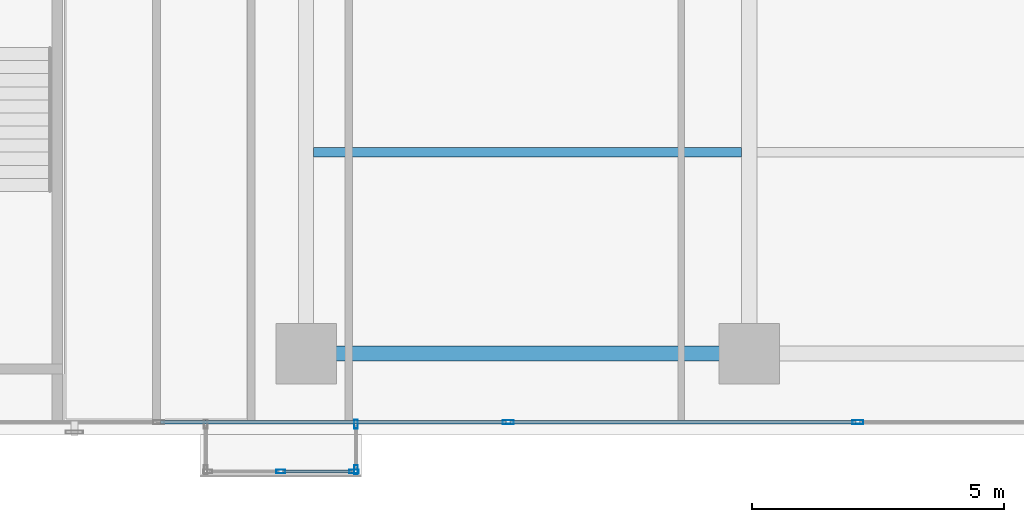
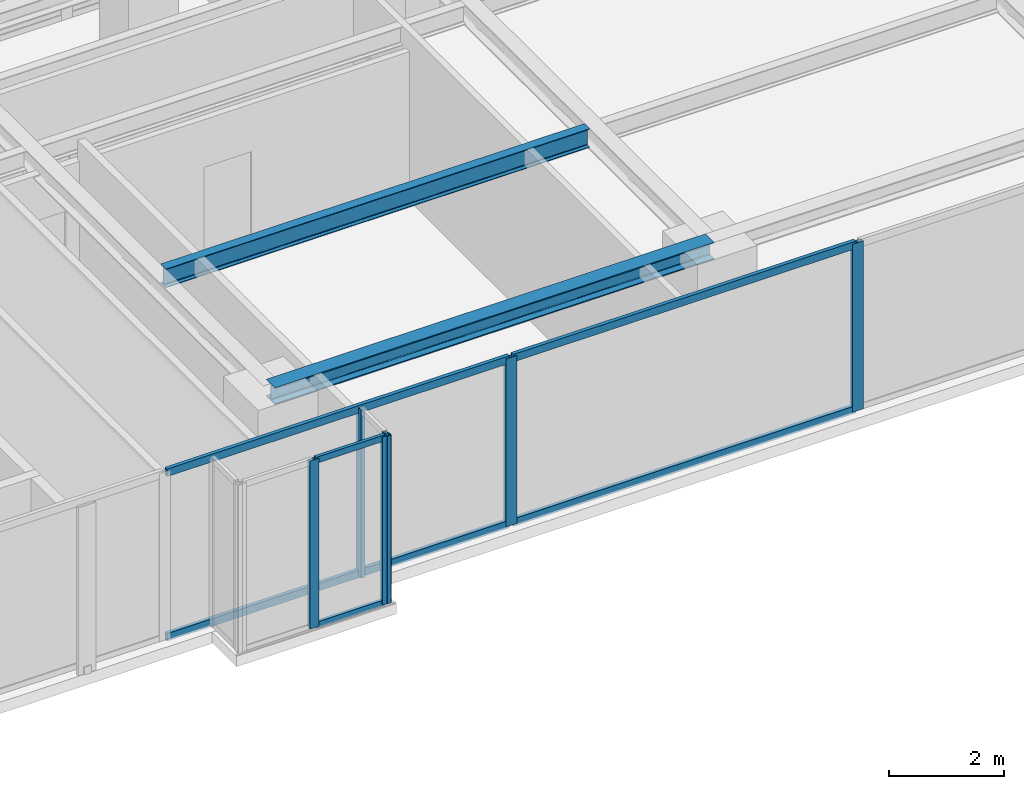
# One storey, part 11 of 27: 12 members, 2 beams, 3 elements without a shape of their own.
"""IFC4 building model written with IfcOpenShell, lengths in metres."""

from ifc_helpers import new_model, si_unit, direction, frame, origin, origin_with_axes, origin_2d, place, context, subcontext, project, spatial, hollow_rectangle, i_section, extrude, source, transform, mapped, material, layer, layer_set, material_profile, profile_set, type_object, element, aggregate, save


model = new_model("IFC4")

# Units and contexts
model_context = context("Model", 3, precision=1e-05, world=origin(), true_north=direction((0.0, 1.0)))
body_context = subcontext(model_context, "Body", "Model", "MODEL_VIEW")
ifc_project = project(units=[si_unit("LENGTHUNIT", "METRE"), si_unit("AREAUNIT", "SQUARE_METRE"), si_unit("VOLUMEUNIT", "CUBIC_METRE"), si_unit("PLANEANGLEUNIT", "RADIAN"), si_unit("MASSUNIT", "GRAM", prefix="KILO")], contexts=[model_context])

# Site, building, storey
site_placement = place(None, origin())
site = spatial("IfcSite", under=ifc_project, at=site_placement, CompositionType="ELEMENT")
building_placement = place(site_placement, origin())
building = spatial("IfcBuilding", under=site, at=building_placement, Name="Kolvaren Waterfront Exchange", CompositionType="ELEMENT")
storey_placement = place(building_placement, frame((0.0, 0.0, 161.39990234375)))
storey = spatial("IfcBuildingStorey", under=building, at=storey_placement, Name="L41", CompositionType="ELEMENT", Elevation=161.39990234375)

# Beams
ifc_material_1 = material(Name="Steel S355", Category="steel")
ifc_material_profile_1 = material_profile(ifc_material_1, i_section(OverallWidth=0.300048828125, OverallDepth=0.360107421875, WebThickness=0.012451171875, FlangeThickness=0.0224609375, FilletRadius=0.027099609375, at=origin_2d()), Name="HEB360")
ifc_profile_set_1 = profile_set([ifc_material_profile_1], Name="Steel S355")
beam_type_1 = type_object("IfcBeamType", Name="STR-BM-HEB360", PredefinedType="SPANDREL", material=ifc_profile_set_1)
beam_1_placement = place(storey_placement, frame((36.800048828125, 5.199951171875, 3.380126953125), z_axis=(1.0, 0.0, 0.0), x_axis=(0.0, 1.0, 0.0)))
element("IfcBeam", 1, at=beam_1_placement, inside=storey, type_object=beam_type_1, Name="L41 east-arm spandrel S3", PredefinedType="SPANDREL", context=body_context, shape_type="SweptSolid", body=[
    extrude(i_section(OverallWidth=0.300048828125, OverallDepth=0.360107421875, WebThickness=0.012451171875, FlangeThickness=0.0224609375, FilletRadius=0.027099609375, at=origin_2d()), origin(), (0.0, 0.0, 1.0), 8.800048828125),
])
ifc_material_profile_2 = material_profile(ifc_material_1, i_section(OverallWidth=0.179931640625, OverallDepth=0.39990234375, WebThickness=0.008544921875, FlangeThickness=0.013427734375, FilletRadius=0.02099609375, at=origin_2d()), Name="IPE400")
ifc_profile_set_2 = profile_set([ifc_material_profile_2], Name="Steel S355")
beam_type_2 = type_object("IfcBeamType", Name="STR-BM-IPE400", PredefinedType="JOIST", material=ifc_profile_set_2)
beam_2_placement = place(storey_placement, frame((36.951904296875, 9.199951171875, 3.360107421875), z_axis=(1.0, 0.0, 0.0), x_axis=(0.0, 1.0, 0.0)))
element("IfcBeam", 2, at=beam_2_placement, inside=storey, type_object=beam_type_2, Name="L41 east-arm composite joist 3B", PredefinedType="JOIST", context=body_context, shape_type="SweptSolid", body=[
    extrude(i_section(OverallWidth=0.179931640625, OverallDepth=0.39990234375, WebThickness=0.008544921875, FlangeThickness=0.013427734375, FilletRadius=0.02099609375, at=origin_2d()), origin(), (0.0, 0.0, 1.0), 8.49609375),
])

# Curtain wall, members
ifc_material_2 = material(Name="Anodised bronze aluminium 6063-T6", Category="aluminium")
ifc_layer_1 = layer(ifc_material_2, 0.219970703125, Name="Anodised bronze aluminium 6063-T6")
ifc_layer_set_1 = layer_set([ifc_layer_1], Name="Anodised bronze aluminium 6063-T6")
curtain_wall_type_1 = type_object("IfcCurtainWallType", Name="ARC-CW-SYS3", PredefinedType="USERDEFINED", material=ifc_layer_set_1)
curtain_wall_1_placement = place(storey_placement, origin())
curtain_wall_1 = element("IfcCurtainWall", 3, at=curtain_wall_1_placement, inside=storey, type_object=curtain_wall_type_1, Name="L41 stick curtain wall CW3 (CW-L41-BOX)", ObjectType="STICK CURTAIN WALL", PredefinedType="USERDEFINED")
ifc_material_profile_3 = material_profile(ifc_material_2, hollow_rectangle(XDim=0.06494140625, YDim=0.1298828125, WallThickness=0.00390625, at=origin_2d()), Name="ALU-TRN-130x65x4")
ifc_profile_set_3 = profile_set([ifc_material_profile_3], Name="Anodised bronze aluminium 6063-T6")
member_type_1 = type_object("IfcMemberType", Name="ARC-CWT-130", PredefinedType="USERDEFINED", material=ifc_profile_set_3)
shared_shape_1 = source(origin_with_axes(), body_context, "Body", "SweptSolid", [
    extrude(hollow_rectangle(XDim=0.06494140625, YDim=0.1298828125, WallThickness=0.00390625, at=origin_2d()), origin(), (0.0, 0.0, 1.0), 1.377685546875),
])
member_1_placement = place(storey_placement, frame((36.33740234375, 2.860107421875, 0.03271484375), z_axis=(1.0, 0.0, 0.0), x_axis=(0.0, 1.0, 0.0)))
member_1 = element("IfcMember", 4, at=member_1_placement, type_object=member_type_1, Name="CW3 transom 2.1", ObjectType="TRANSOM", PredefinedType="USERDEFINED", context=body_context, shape_type="MappedRepresentation", body=[
    mapped(shared_shape_1, transform((0.0, 0.0, 0.0), x_axis=(1.0, 0.0, 0.0), y_axis=(0.0, 1.0, 0.0), z_axis=(0.0, 0.0, 1.0), scale=1.0)),
])
member_2_placement = place(storey_placement, frame((36.33740234375, 2.860107421875, 3.527587890625), z_axis=(1.0, 0.0, 0.0), x_axis=(0.0, 1.0, 0.0)))
member_2 = element("IfcMember", 5, at=member_2_placement, type_object=member_type_1, Name="CW3 transom 2.2", ObjectType="TRANSOM", PredefinedType="USERDEFINED", context=body_context, shape_type="MappedRepresentation", body=[
    mapped(shared_shape_1, transform((0.0, 0.0, 0.0), x_axis=(1.0, 0.0, 0.0), y_axis=(0.0, 1.0, 0.0), z_axis=(0.0, 0.0, 1.0), scale=1.0)),
])
ifc_material_profile_4 = material_profile(ifc_material_2, hollow_rectangle(XDim=0.074951171875, YDim=0.179931640625, WallThickness=0.00439453125, at=origin_2d()), Name="ALU-MUL-180x75x4.5")
ifc_profile_set_4 = profile_set([ifc_material_profile_4], Name="Anodised bronze aluminium 6063-T6")
member_type_2 = type_object("IfcMemberType", Name="ARC-CWM-180", PredefinedType="MULLION", material=ifc_profile_set_4)
shared_shape_2 = source(origin_with_axes(), body_context, "Body", "SweptSolid", [
    extrude(hollow_rectangle(XDim=0.074951171875, YDim=0.179931640625, WallThickness=0.00439453125, at=origin_2d()), origin(), (0.0, 0.0, 1.0), 3.56005859375),
])
member_3_placement = place(storey_placement, frame((36.300048828125, 2.860107421875, 0.0), z_axis=(0.0, 0.0, 1.0), x_axis=(0.0, 1.0, 0.0)))
member_3 = element("IfcMember", 6, at=member_3_placement, type_object=member_type_2, Name="CW3 mullion 2", PredefinedType="MULLION", context=body_context, shape_type="MappedRepresentation", body=[
    mapped(shared_shape_2, transform((0.0, 0.0, 0.0), x_axis=(1.0, 0.0, 0.0), y_axis=(0.0, 1.0, 0.0), z_axis=(0.0, 0.0, 1.0), scale=1.0)),
])
member_4_placement = place(storey_placement, frame((37.75244140625, 2.860107421875, 0.0), z_axis=(0.0, 0.0, 1.0), x_axis=(0.0, 1.0, 0.0)))
member_4 = element("IfcMember", 7, at=member_4_placement, type_object=member_type_2, Name="CW3 mullion 3", PredefinedType="MULLION", context=body_context, shape_type="MappedRepresentation", body=[
    mapped(shared_shape_2, transform((0.0, 0.0, 0.0), x_axis=(1.0, 0.0, 0.0), y_axis=(0.0, 1.0, 0.0), z_axis=(0.0, 0.0, 1.0), scale=1.0)),
])
aggregate(curtain_wall_1, [member_3, member_4, member_1, member_2])

curtain_wall_2_placement = place(storey_placement, origin())
curtain_wall_2 = element("IfcCurtainWall", 8, at=curtain_wall_2_placement, inside=storey, type_object=curtain_wall_type_1, Name="L41 stick curtain wall CW3 (CW-L41-BOX-E)", ObjectType="STICK CURTAIN WALL", PredefinedType="USERDEFINED")
member_5_placement = place(storey_placement, frame((37.7900390625, 2.8974609375, 0.0), z_axis=(0.0, 0.0, 1.0), x_axis=(-1.0, 0.0, 0.0)))
member_5 = element("IfcMember", 9, at=member_5_placement, type_object=member_type_2, Name="CW3 mullion 1", PredefinedType="MULLION", context=body_context, shape_type="MappedRepresentation", body=[
    mapped(shared_shape_2, transform((0.0, 0.0, 0.0), x_axis=(1.0, 0.0, 0.0), y_axis=(0.0, 1.0, 0.0), z_axis=(0.0, 0.0, 1.0), scale=1.0)),
])
member_6_placement = place(storey_placement, frame((37.7900390625, 3.802490234375, 0.0), z_axis=(0.0, 0.0, 1.0), x_axis=(-1.0, 0.0, 0.0)))
member_6 = element("IfcMember", 10, at=member_6_placement, type_object=member_type_2, Name="CW3 mullion 2", PredefinedType="MULLION", context=body_context, shape_type="MappedRepresentation", body=[
    mapped(shared_shape_2, transform((0.0, 0.0, 0.0), x_axis=(1.0, 0.0, 0.0), y_axis=(0.0, 1.0, 0.0), z_axis=(0.0, 0.0, 1.0), scale=1.0)),
])
aggregate(curtain_wall_2, [member_5, member_6])

ifc_layer_2 = layer(ifc_material_2, 0.219970703125, Name="Anodised bronze aluminium 6063-T6")
ifc_layer_set_2 = layer_set([ifc_layer_2], Name="Anodised bronze aluminium 6063-T6")
curtain_wall_type_2 = type_object("IfcCurtainWallType", Name="ARC-CW-SYS1", PredefinedType="USERDEFINED", material=ifc_layer_set_2)
curtain_wall_3_placement = place(storey_placement, origin())
curtain_wall_3 = element("IfcCurtainWall", 11, at=curtain_wall_3_placement, inside=storey, type_object=curtain_wall_type_2, Name="L41 stick curtain wall CW1 (CW-L41-S)", ObjectType="STICK CURTAIN WALL", PredefinedType="USERDEFINED")
ifc_material_3 = material(Name="Anodised aluminium 6063-T6", Category="aluminium")
ifc_material_profile_5 = material_profile(ifc_material_3, hollow_rectangle(XDim=0.080078125, YDim=0.219970703125, WallThickness=0.0048828125, at=origin_2d()), Name="ALU-MUL-220x80x5")
ifc_profile_set_5 = profile_set([ifc_material_profile_5], Name="Anodised aluminium 6063-T6")
member_type_3 = type_object("IfcMemberType", Name="ARC-CWM-220", PredefinedType="MULLION", material=ifc_profile_set_5)
shared_shape_3 = source(origin_with_axes(), body_context, "Body", "SweptSolid", [
    extrude(hollow_rectangle(XDim=0.080078125, YDim=0.219970703125, WallThickness=0.0048828125, at=origin_2d()), origin(), (0.0, 0.0, 1.0), 3.56005859375),
])
member_7_placement = place(storey_placement, frame((40.814208984375, 3.840087890625, 0.0), z_axis=(0.0, 0.0, 1.0), x_axis=(0.0, 1.0, 0.0)))
member_7 = element("IfcMember", 12, at=member_7_placement, type_object=member_type_3, Name="CW1 mullion 6", PredefinedType="MULLION", context=body_context, shape_type="MappedRepresentation", body=[
    mapped(shared_shape_3, transform((0.0, 0.0, 0.0), x_axis=(1.0, 0.0, 0.0), y_axis=(0.0, 1.0, 0.0), z_axis=(0.0, 0.0, 1.0), scale=1.0)),
])
member_8_placement = place(storey_placement, frame((47.757080078125, 3.840087890625, 0.0), z_axis=(0.0, 0.0, 1.0), x_axis=(0.0, 1.0, 0.0)))
member_8 = element("IfcMember", 13, at=member_8_placement, type_object=member_type_3, Name="CW1 mullion 7", PredefinedType="MULLION", context=body_context, shape_type="MappedRepresentation", body=[
    mapped(shared_shape_3, transform((0.0, 0.0, 0.0), x_axis=(1.0, 0.0, 0.0), y_axis=(0.0, 1.0, 0.0), z_axis=(0.0, 0.0, 1.0), scale=1.0)),
])
ifc_material_profile_6 = material_profile(ifc_material_3, hollow_rectangle(XDim=0.074951171875, YDim=0.159912109375, WallThickness=0.00439453125, at=origin_2d()), Name="ALU-TRN-160x75x4.5")
ifc_profile_set_6 = profile_set([ifc_material_profile_6], Name="Anodised aluminium 6063-T6")
member_type_4 = type_object("IfcMemberType", Name="ARC-CWT-160", PredefinedType="USERDEFINED", material=ifc_profile_set_6)
shared_shape_4 = source(origin_with_axes(), body_context, "Body", "SweptSolid", [
    extrude(hollow_rectangle(XDim=0.074951171875, YDim=0.159912109375, WallThickness=0.00439453125, at=origin_2d()), origin(), (0.0, 0.0, 1.0), 6.86279296875),
])
member_9_placement = place(storey_placement, frame((33.911376953125, 3.840087890625, 0.03759765625), z_axis=(1.0, 0.0, 0.0), x_axis=(0.0, 1.0, 0.0)))
member_9 = element("IfcMember", 14, at=member_9_placement, type_object=member_type_4, Name="CW1 transom 5.1", ObjectType="TRANSOM", PredefinedType="USERDEFINED", context=body_context, shape_type="MappedRepresentation", body=[
    mapped(shared_shape_4, transform((0.0, 0.0, 0.0), x_axis=(1.0, 0.0, 0.0), y_axis=(0.0, 1.0, 0.0), z_axis=(0.0, 0.0, 1.0), scale=1.0)),
])
member_10_placement = place(storey_placement, frame((33.911376953125, 3.840087890625, 3.522705078125), z_axis=(1.0, 0.0, 0.0), x_axis=(0.0, 1.0, 0.0)))
member_10 = element("IfcMember", 15, at=member_10_placement, type_object=member_type_4, Name="CW1 transom 5.2", ObjectType="TRANSOM", PredefinedType="USERDEFINED", context=body_context, shape_type="MappedRepresentation", body=[
    mapped(shared_shape_4, transform((0.0, 0.0, 0.0), x_axis=(1.0, 0.0, 0.0), y_axis=(0.0, 1.0, 0.0), z_axis=(0.0, 0.0, 1.0), scale=1.0)),
])
member_11_placement = place(storey_placement, frame((40.854248046875, 3.840087890625, 0.03759765625), z_axis=(1.0, 0.0, 0.0), x_axis=(0.0, 1.0, 0.0)))
member_11 = element("IfcMember", 16, at=member_11_placement, type_object=member_type_4, Name="CW1 transom 6.1", ObjectType="TRANSOM", PredefinedType="USERDEFINED", context=body_context, shape_type="MappedRepresentation", body=[
    mapped(shared_shape_4, transform((0.0, 0.0, 0.0), x_axis=(1.0, 0.0, 0.0), y_axis=(0.0, 1.0, 0.0), z_axis=(0.0, 0.0, 1.0), scale=1.0)),
])
member_12_placement = place(storey_placement, frame((40.854248046875, 3.840087890625, 3.522705078125), z_axis=(1.0, 0.0, 0.0), x_axis=(0.0, 1.0, 0.0)))
member_12 = element("IfcMember", 17, at=member_12_placement, type_object=member_type_4, Name="CW1 transom 6.2", ObjectType="TRANSOM", PredefinedType="USERDEFINED", context=body_context, shape_type="MappedRepresentation", body=[
    mapped(shared_shape_4, transform((0.0, 0.0, 0.0), x_axis=(1.0, 0.0, 0.0), y_axis=(0.0, 1.0, 0.0), z_axis=(0.0, 0.0, 1.0), scale=1.0)),
])
aggregate(curtain_wall_3, [member_7, member_8, member_9, member_10, member_11, member_12])

save(model, "model.ifc")
